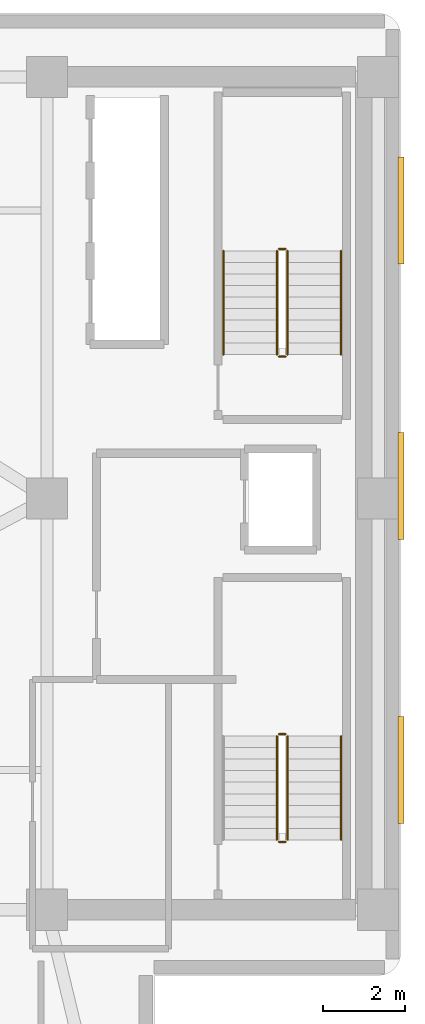
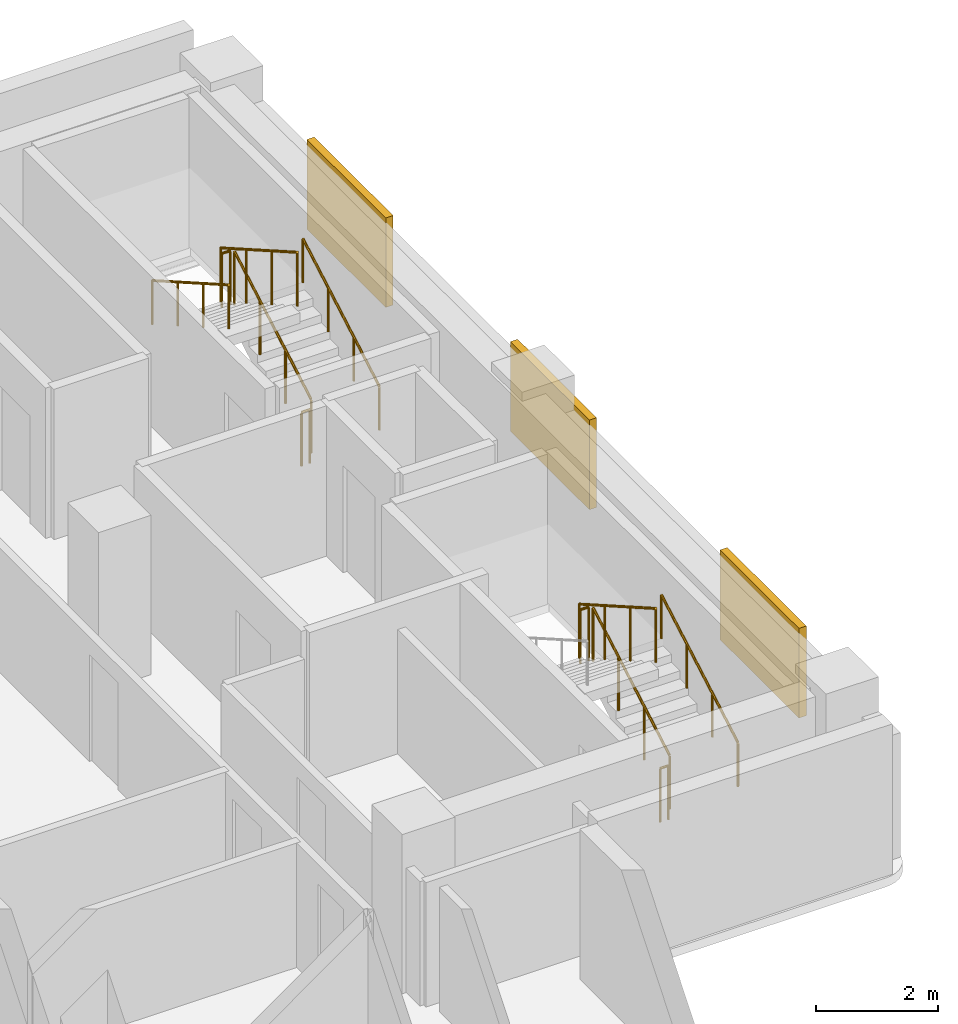
# One storey, part 14 of 14: 11 railings, 3 shading devices.
"""IFC4 building model written with IfcOpenShell, lengths in metres."""

from ifc_helpers import new_model, si_unit, direction, frame, origin, origin_2d, place, context, subcontext, project, spatial, rectangle, circle, extrude, material, layer, layer_set, type_object, element, save


model = new_model("IFC4")

# Units and contexts
model_context = context("Model", 3, precision=1e-05, world=origin(), true_north=direction((0.0, 1.0)))
body_context = subcontext(model_context, "Body", "Model", "MODEL_VIEW")
ifc_project = project(units=[si_unit("LENGTHUNIT", "METRE"), si_unit("AREAUNIT", "SQUARE_METRE"), si_unit("VOLUMEUNIT", "CUBIC_METRE"), si_unit("PLANEANGLEUNIT", "RADIAN"), si_unit("MASSUNIT", "GRAM", prefix="KILO")], contexts=[model_context])

# Site, building, storey
site_placement = place(None, origin())
site = spatial("IfcSite", under=ifc_project, at=site_placement, CompositionType="ELEMENT")
building_placement = place(site_placement, origin())
building = spatial("IfcBuilding", under=site, at=building_placement, Name="Kuzgunbayir Cultural Tower", CompositionType="ELEMENT")
storey_placement = place(building_placement, frame((0.0, 0.0, 62.800048828125)))
storey = spatial("IfcBuildingStorey", under=building, at=storey_placement, Name="L17", CompositionType="ELEMENT", Elevation=62.800048828125)

# Railings
ifc_material_1 = material(Name="Brushed Stainless Steel", Category="steel")
ifc_layer_1 = layer(ifc_material_1, 0.050048828125)
ifc_layer_set_1 = layer_set([ifc_layer_1], Name="Brushed Stainless Steel")
railing_type_1 = type_object("IfcRailingType", Name="RLG-STAIR-HANDRAIL", PredefinedType="HANDRAIL", material=ifc_layer_set_1)
for number, where, name in (
    (1, (71.75, 23.699951171875, 0.159912109375), "L17 ST-3 stair handrail 1"),
    (2, (71.75, 35.5, 0.159912109375), "L17 ST-4 stair handrail 1"),
):
    element("IfcRailing", number, at=place(storey_placement, frame(where)), inside=storey, type_object=railing_type_1, Name=name, PredefinedType="HANDRAIL", context=body_context, shape_type="SweptSolid", body=[
        extrude(circle(Radius=0.02392578125, at=origin_2d()), frame((0.0, 0.0, 0.8759765625), z_axis=(0.0, 0.868253494771, 0.496120820787), x_axis=(-1.0, 0.0, 0.0)), (0.0, 0.0, 1.0), 2.90234375),
        extrude(circle(Radius=0.02099609375, at=origin_2d()), origin(), (0.0, 0.0, 1.0), 0.851806640625),
        extrude(circle(Radius=0.02099609375, at=origin_2d()), frame((0.0, 0.840087890625, 0.47998046875)), (0.0, 0.0, 1.0), 0.851806640625),
        extrude(circle(Radius=0.02099609375, at=origin_2d()), frame((0.0, 1.679931640625, 0.9599609375)), (0.0, 0.0, 1.0), 0.851806640625),
        extrude(circle(Radius=0.02099609375, at=origin_2d()), frame((0.0, 2.52001953125, 1.43994140625)), (0.0, 0.0, 1.0), 0.851806640625),
    ])
railing_1_placement = place(storey_placement, frame((68.889892578125, 38.02001953125, 1.760009765625)))
element("IfcRailing", 3, at=railing_1_placement, inside=storey, type_object=railing_type_1, Name="L17 ST-4 stair handrail 2", PredefinedType="HANDRAIL", context=body_context, shape_type="SweptSolid", body=[
    extrude(circle(Radius=0.02392578125, at=origin_2d()), frame((0.0, 0.0, 0.8759765625), z_axis=(0.0, -0.868253494771, 0.496120820787), x_axis=(1.0, 0.0, 0.0)), (0.0, 0.0, 1.0), 2.90234375),
    extrude(circle(Radius=0.02099609375, at=origin_2d()), origin(), (0.0, 0.0, 1.0), 0.851806640625),
    extrude(circle(Radius=0.02099609375, at=origin_2d()), frame((0.0, -0.840087890625, 0.47998046875)), (0.0, 0.0, 1.0), 0.851806640625),
    extrude(circle(Radius=0.02099609375, at=origin_2d()), frame((0.0, -1.679931640625, 0.9599609375)), (0.0, 0.0, 1.0), 0.851806640625),
    extrude(circle(Radius=0.02099609375, at=origin_2d()), frame((0.0, -2.52001953125, 1.43994140625)), (0.0, 0.0, 1.0), 0.851806640625),
])
ifc_material_2 = material(Name="Painted Steel Balustrade", Category="steel")
ifc_layer_2 = layer(ifc_material_2, 0.06005859375)
ifc_layer_set_2 = layer_set([ifc_layer_2], Name="Painted Steel Balustrade")
railing_type_2 = type_object("IfcRailingType", Name="RLG-WELL-GUARD", PredefinedType="GUARDRAIL", material=ifc_layer_set_2)
railing_2_placement = place(storey_placement, frame((70.449951171875, 23.699951171875, 0.159912109375)))
element("IfcRailing", 4, at=railing_2_placement, inside=storey, type_object=railing_type_2, Name="L17 ST-3 stair guard 1", PredefinedType="GUARDRAIL", context=body_context, shape_type="SweptSolid", body=[
    extrude(circle(Radius=0.02392578125, at=origin_2d()), frame((0.0, 0.0, 1.076171875), z_axis=(0.0, 0.868253494771, 0.496120820787), x_axis=(-1.0, 0.0, 0.0)), (0.0, 0.0, 1.0), 2.90234375),
    extrude(circle(Radius=0.02099609375, at=origin_2d()), origin(), (0.0, 0.0, 1.0), 1.052001953125),
    extrude(circle(Radius=0.02099609375, at=origin_2d()), frame((0.0, 0.840087890625, 0.47998046875)), (0.0, 0.0, 1.0), 1.052001953125),
    extrude(circle(Radius=0.02099609375, at=origin_2d()), frame((0.0, 1.679931640625, 0.9599609375)), (0.0, 0.0, 1.0), 1.052001953125),
    extrude(circle(Radius=0.02099609375, at=origin_2d()), frame((0.0, 2.52001953125, 1.43994140625)), (0.0, 0.0, 1.0), 1.052001953125),
])
railing_3_placement = place(storey_placement, frame((70.39990234375, 26.27001953125, 1.599853515625)))
element("IfcRailing", 5, at=railing_3_placement, inside=storey, type_object=railing_type_2, Name="L17 ST-3 stair guard 2", PredefinedType="GUARDRAIL", context=body_context, shape_type="SweptSolid", body=[
    extrude(circle(Radius=0.02392578125, at=origin_2d()), frame((0.0, 0.0, 1.076171875), z_axis=(-1.0, 0.0, 0.0), x_axis=(0.0, -1.0, 0.0)), (0.0, 0.0, 1.0), 0.159912109375),
    extrude(circle(Radius=0.02099609375, at=origin_2d()), origin(), (0.0, 0.0, 1.0), 1.052001953125),
    extrude(circle(Radius=0.02099609375, at=origin_2d()), frame((-0.159912109375, 0.0, 0.0)), (0.0, 0.0, 1.0), 1.052001953125),
])
railing_4_placement = place(storey_placement, frame((70.18994140625, 26.219970703125, 1.760009765625)))
element("IfcRailing", 6, at=railing_4_placement, inside=storey, type_object=railing_type_2, Name="L17 ST-3 stair guard 3", PredefinedType="GUARDRAIL", context=body_context, shape_type="SweptSolid", body=[
    extrude(circle(Radius=0.02392578125, at=origin_2d()), frame((0.0, 0.0, 1.076171875), z_axis=(0.0, -0.868253494771, 0.496120820787), x_axis=(1.0, 0.0, 0.0)), (0.0, 0.0, 1.0), 2.90234375),
    extrude(circle(Radius=0.02099609375, at=origin_2d()), origin(), (0.0, 0.0, 1.0), 1.052001953125),
    extrude(circle(Radius=0.02099609375, at=origin_2d()), frame((0.0, -0.840087890625, 0.47998046875)), (0.0, 0.0, 1.0), 1.052001953125),
    extrude(circle(Radius=0.02099609375, at=origin_2d()), frame((0.0, -1.679931640625, 0.9599609375)), (0.0, 0.0, 1.0), 1.052001953125),
    extrude(circle(Radius=0.02099609375, at=origin_2d()), frame((0.0, -2.52001953125, 1.43994140625)), (0.0, 0.0, 1.0), 1.052001953125),
])
railing_5_placement = place(storey_placement, frame((70.39990234375, 23.64990234375, 0.0)))
element("IfcRailing", 7, at=railing_5_placement, inside=storey, type_object=railing_type_2, Name="L17 ST-3 stair guard 4", PredefinedType="GUARDRAIL", context=body_context, shape_type="SweptSolid", body=[
    extrude(circle(Radius=0.02392578125, at=origin_2d()), frame((0.0, 0.0, 1.076171875), z_axis=(-1.0, 0.0, 0.0), x_axis=(0.0, -1.0, 0.0)), (0.0, 0.0, 1.0), 0.159912109375),
    extrude(circle(Radius=0.02099609375, at=origin_2d()), origin(), (0.0, 0.0, 1.0), 1.052001953125),
    extrude(circle(Radius=0.02099609375, at=origin_2d()), frame((-0.159912109375, 0.0, 0.0)), (0.0, 0.0, 1.0), 1.052001953125),
])
railing_6_placement = place(storey_placement, frame((70.449951171875, 35.5, 0.159912109375)))
element("IfcRailing", 8, at=railing_6_placement, inside=storey, type_object=railing_type_2, Name="L17 ST-4 stair guard 1", PredefinedType="GUARDRAIL", context=body_context, shape_type="SweptSolid", body=[
    extrude(circle(Radius=0.02392578125, at=origin_2d()), frame((0.0, 0.0, 1.076171875), z_axis=(0.0, 0.868253494771, 0.496120820787), x_axis=(-1.0, 0.0, 0.0)), (0.0, 0.0, 1.0), 2.90234375),
    extrude(circle(Radius=0.02099609375, at=origin_2d()), origin(), (0.0, 0.0, 1.0), 1.052001953125),
    extrude(circle(Radius=0.02099609375, at=origin_2d()), frame((0.0, 0.840087890625, 0.47998046875)), (0.0, 0.0, 1.0), 1.052001953125),
    extrude(circle(Radius=0.02099609375, at=origin_2d()), frame((0.0, 1.679931640625, 0.9599609375)), (0.0, 0.0, 1.0), 1.052001953125),
    extrude(circle(Radius=0.02099609375, at=origin_2d()), frame((0.0, 2.52001953125, 1.43994140625)), (0.0, 0.0, 1.0), 1.052001953125),
])
railing_7_placement = place(storey_placement, frame((70.39990234375, 38.070068359375, 1.599853515625)))
element("IfcRailing", 9, at=railing_7_placement, inside=storey, type_object=railing_type_2, Name="L17 ST-4 stair guard 2", PredefinedType="GUARDRAIL", context=body_context, shape_type="SweptSolid", body=[
    extrude(circle(Radius=0.02392578125, at=origin_2d()), frame((0.0, 0.0, 1.076171875), z_axis=(-1.0, 0.0, 0.0), x_axis=(0.0, -1.0, 0.0)), (0.0, 0.0, 1.0), 0.159912109375),
    extrude(circle(Radius=0.02099609375, at=origin_2d()), origin(), (0.0, 0.0, 1.0), 1.052001953125),
    extrude(circle(Radius=0.02099609375, at=origin_2d()), frame((-0.159912109375, 0.0, 0.0)), (0.0, 0.0, 1.0), 1.052001953125),
])
railing_8_placement = place(storey_placement, frame((70.18994140625, 38.02001953125, 1.760009765625)))
element("IfcRailing", 10, at=railing_8_placement, inside=storey, type_object=railing_type_2, Name="L17 ST-4 stair guard 3", PredefinedType="GUARDRAIL", context=body_context, shape_type="SweptSolid", body=[
    extrude(circle(Radius=0.02392578125, at=origin_2d()), frame((0.0, 0.0, 1.076171875), z_axis=(0.0, -0.868253494771, 0.496120820787), x_axis=(1.0, 0.0, 0.0)), (0.0, 0.0, 1.0), 2.90234375),
    extrude(circle(Radius=0.02099609375, at=origin_2d()), origin(), (0.0, 0.0, 1.0), 1.052001953125),
    extrude(circle(Radius=0.02099609375, at=origin_2d()), frame((0.0, -0.840087890625, 0.47998046875)), (0.0, 0.0, 1.0), 1.052001953125),
    extrude(circle(Radius=0.02099609375, at=origin_2d()), frame((0.0, -1.679931640625, 0.9599609375)), (0.0, 0.0, 1.0), 1.052001953125),
    extrude(circle(Radius=0.02099609375, at=origin_2d()), frame((0.0, -2.52001953125, 1.43994140625)), (0.0, 0.0, 1.0), 1.052001953125),
])
railing_9_placement = place(storey_placement, frame((70.39990234375, 35.449951171875, 0.0)))
element("IfcRailing", 11, at=railing_9_placement, inside=storey, type_object=railing_type_2, Name="L17 ST-4 stair guard 4", PredefinedType="GUARDRAIL", context=body_context, shape_type="SweptSolid", body=[
    extrude(circle(Radius=0.02392578125, at=origin_2d()), frame((0.0, 0.0, 1.076171875), z_axis=(-1.0, 0.0, 0.0), x_axis=(0.0, -1.0, 0.0)), (0.0, 0.0, 1.0), 0.159912109375),
    extrude(circle(Radius=0.02099609375, at=origin_2d()), origin(), (0.0, 0.0, 1.0), 1.052001953125),
    extrude(circle(Radius=0.02099609375, at=origin_2d()), frame((-0.159912109375, 0.0, 0.0)), (0.0, 0.0, 1.0), 1.052001953125),
])

# Shading devices
ifc_material_3 = material(Name="Perforated Bronze-Anodised Aluminium", Category="aluminium")
shading_device_type = type_object("IfcShadingDeviceType", Name="SHD-SOLAR-BRONZE", PredefinedType="JALOUSIE", material=ifc_material_3)
for number, where, z_axis, x_axis, name in (
    (12, (73.2099609375, 25.39990234375, 0.7998046875), (0.0, 0.0, 1.0), (1.0, 0.0, 0.0), "L17 Companion East Bronze Solar Screen 25"),
    (13, (73.2099609375, 32.300048828125, 0.7998046875), (0.0, 0.0, 1.0), (1.0, 0.0, 0.0), "L17 Companion East Bronze Solar Screen 32"),
    (14, (73.2099609375, 39.0, 0.7998046875), (0.0, 0.0, 1.0), (1.0, 0.0, 0.0), "L17 Companion East Bronze Solar Screen 39"),
):
    element("IfcShadingDevice", number, at=place(storey_placement, frame(where, z_axis=z_axis, x_axis=x_axis)), inside=storey, type_object=shading_device_type, Name=name, PredefinedType="JALOUSIE", context=body_context, shape_type="SweptSolid", body=[
        extrude(rectangle(XDim=0.139892578125, YDim=2.60009765625, at=origin_2d()), origin(), (0.0, 0.0, 1.0), 1.800048828125),
    ])

save(model, "model.ifc")
